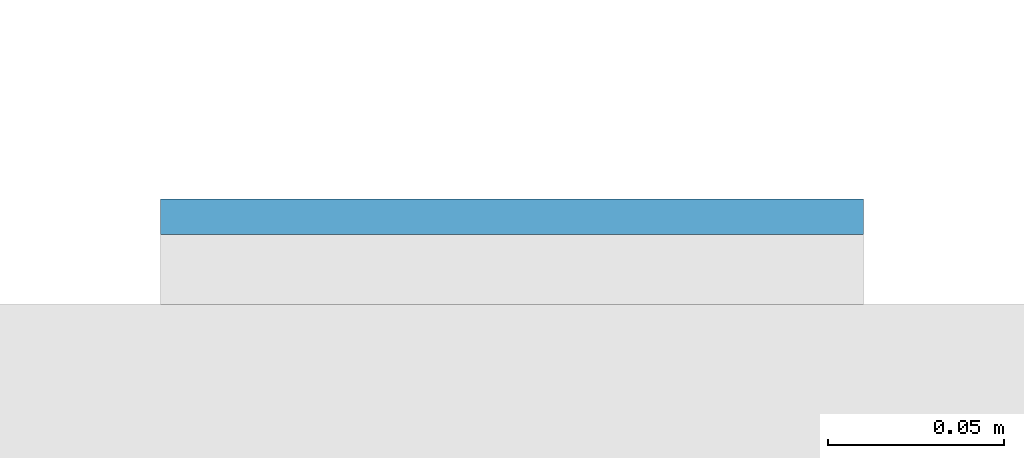
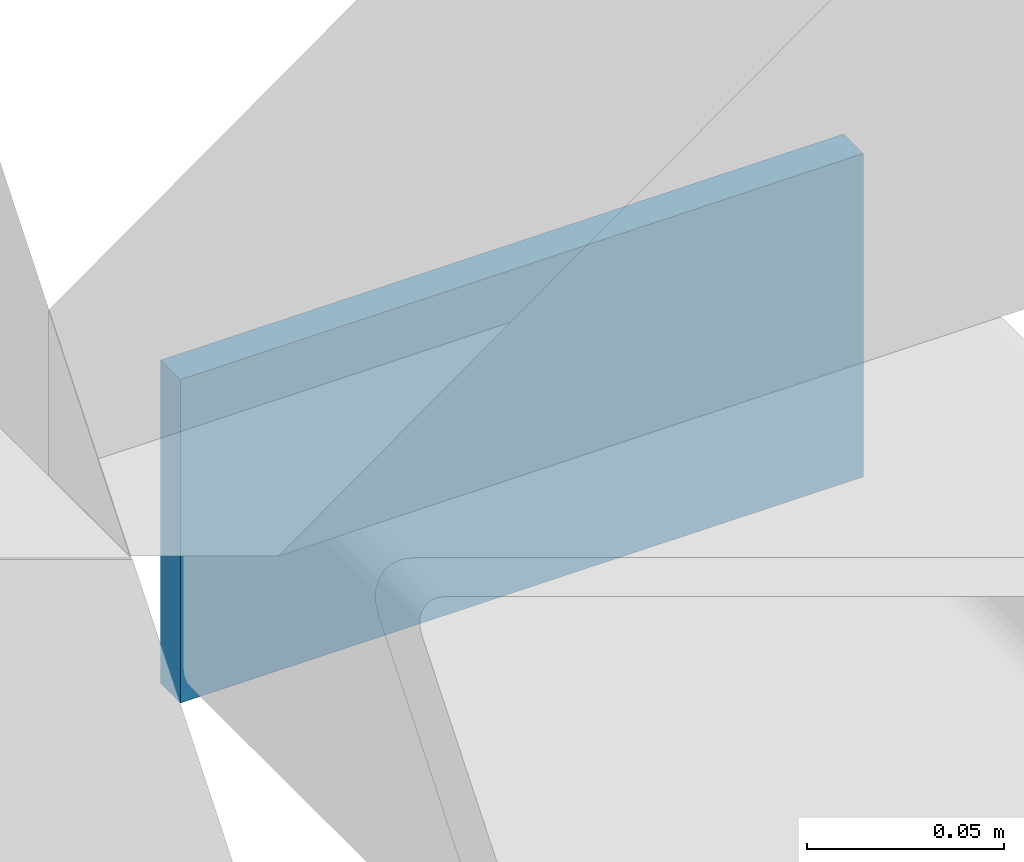
# One storey, part 11 of 20: 1 plate.
"""IFC4 building model written with IfcOpenShell, lengths in metres."""

from ifc_helpers import new_model, si_unit, direction, frame, origin, origin_2d, place, context, subcontext, project, spatial, rectangle, extrude, material, layer, layer_set, type_object, element, save


model = new_model("IFC4")

# Units and contexts
model_context = context("Model", 3, precision=1e-05, world=origin(), true_north=direction((0.0, 1.0)))
body_context = subcontext(model_context, "Body", "Model", "MODEL_VIEW")
ifc_project = project(units=[si_unit("LENGTHUNIT", "METRE"), si_unit("AREAUNIT", "SQUARE_METRE"), si_unit("VOLUMEUNIT", "CUBIC_METRE"), si_unit("PLANEANGLEUNIT", "RADIAN"), si_unit("MASSUNIT", "GRAM", prefix="KILO")], contexts=[model_context])

# Site, building, storey
site_placement = place(None, origin())
site = spatial("IfcSite", under=ifc_project, at=site_placement, CompositionType="ELEMENT")
building_placement = place(site_placement, origin())
building = spatial("IfcBuilding", under=site, at=building_placement, Name="Cleftline Residences", CompositionType="ELEMENT")
storey_placement = place(building_placement, frame((0.0, 0.0, 164.60009765625)))
storey = spatial("IfcBuildingStorey", under=building, at=storey_placement, Name="L43", CompositionType="ELEMENT", Elevation=164.60009765625)

# Plate
ifc_material = material(Name="Steel S355, hot-dip galvanised", Category="steel")
ifc_layer = layer(ifc_material, 0.010009765625)
ifc_layer_set = layer_set([ifc_layer], Name="BAGUETTE CARRIER END PLATE 200X100X10")
plate_type = type_object("IfcPlateType", Name="BAGUETTE CARRIER END PLATE 200X100X10", PredefinedType="USERDEFINED", material=ifc_layer_set)
plate_placement = place(storey_placement, frame((66.85009765625, 44.304931640625, -0.10009765625), z_axis=(0.0, 0.0, 1.0), x_axis=(1.0, 0.0, 0.0)))
element("IfcPlate", 1, at=plate_placement, inside=storey, type_object=plate_type, Name="Baguette carrier end plate", ObjectType="BAGUETTE CARRIER END PLATE", PredefinedType="USERDEFINED", context=body_context, shape_type="SweptSolid", body=[
    extrude(rectangle(XDim=0.199951171875, YDim=0.010009765625, at=origin_2d()), origin(), (0.0, 0.0, 1.0), 0.10009765625),
])

save(model, "model.ifc")
